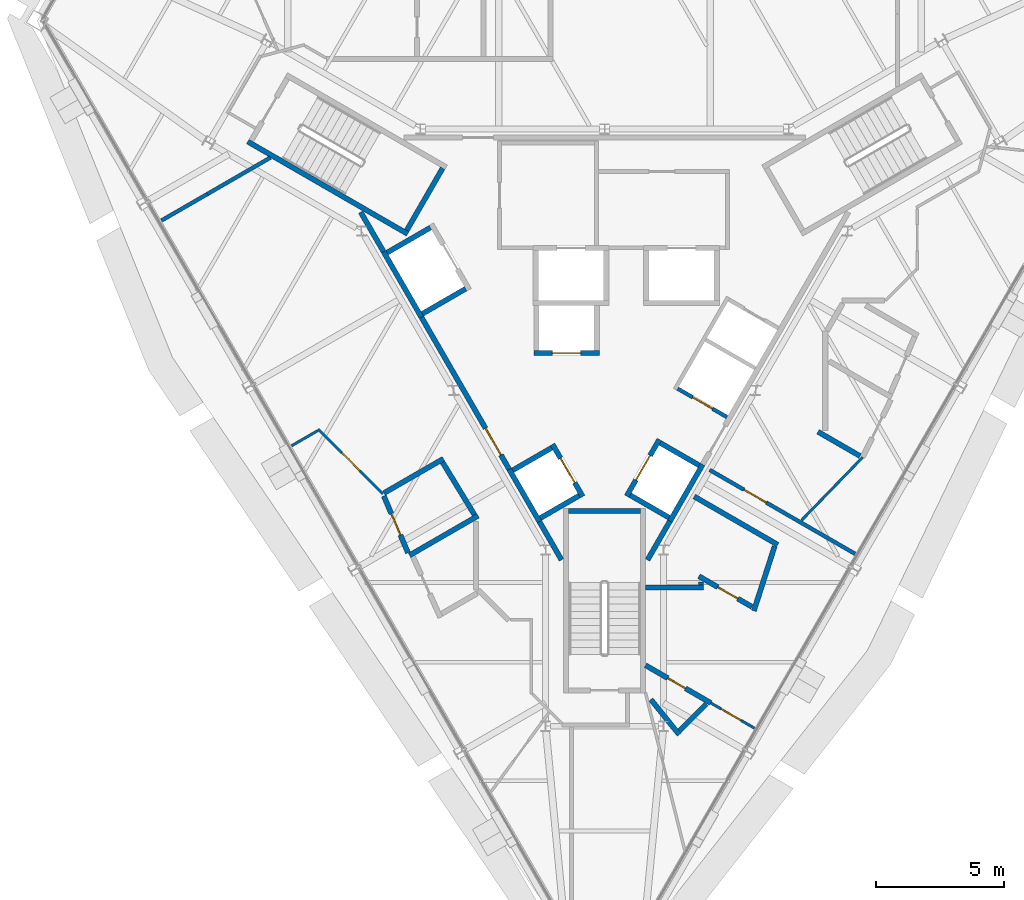
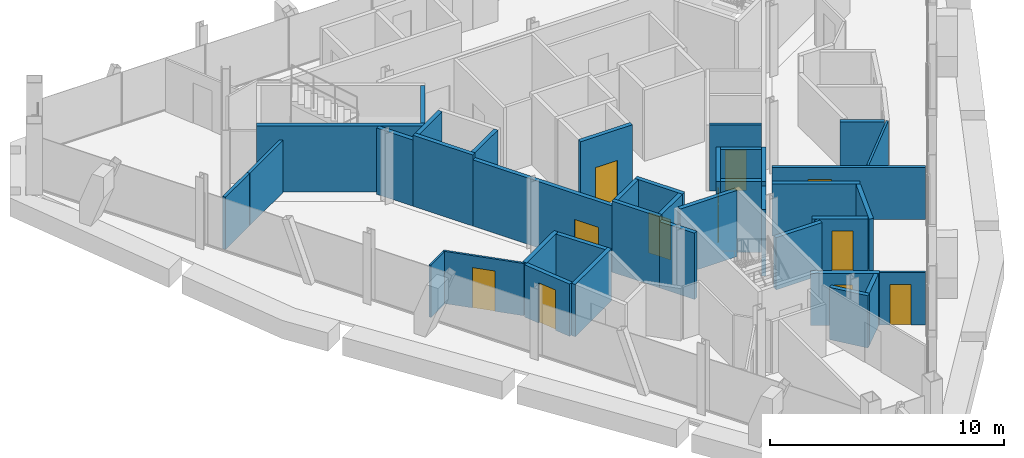
# One storey, part 8 of 12: 40 walls, 11 doors, 11 openings.
"""IFC4 building model written with IfcOpenShell, lengths in metres."""

from ifc_helpers import new_model, si_unit, direction, frame, frame_2d, origin, place, context, subcontext, project, spatial, rectangle, extrude, material, layer, layer_set, type_object, element, fill, save


model = new_model("IFC4")

# Units and contexts
model_context = context("Model", 3, precision=1e-05, world=origin(), true_north=direction((0.0, 1.0)))
body_context = subcontext(model_context, "Body", "Model", "MODEL_VIEW")
ifc_project = project(units=[si_unit("LENGTHUNIT", "METRE"), si_unit("AREAUNIT", "SQUARE_METRE"), si_unit("VOLUMEUNIT", "CUBIC_METRE"), si_unit("PLANEANGLEUNIT", "RADIAN"), si_unit("MASSUNIT", "GRAM", prefix="KILO")], contexts=[model_context])

# Site, building, storey
site_placement = place(None, origin())
site = spatial("IfcSite", under=ifc_project, at=site_placement, CompositionType="ELEMENT")
building_placement = place(site_placement, origin())
building = spatial("IfcBuilding", under=site, at=building_placement, Name="Verrane Prism Tower", CompositionType="ELEMENT")
storey_placement = place(building_placement, frame((0.0, 0.0, 271.39990234375)))
storey = spatial("IfcBuildingStorey", under=building, at=storey_placement, Name="L68", CompositionType="ELEMENT", Elevation=271.39990234375)

# Wall
ifc_material_1 = material(Name="Gypsum board partition", Category="other")
ifc_layer_1 = layer(ifc_material_1, 0.199951171875)
ifc_layer_set_1 = layer_set([ifc_layer_1], Name="CW-200 core boundary wall 2 h")
wall_type_1 = type_object("IfcWallType", Name="CW-200 core boundary wall 2 h", PredefinedType="PARTITIONING", material=ifc_layer_set_1)
wall_1_placement = place(storey_placement, frame((-9.509033203125, 3.550537109375, 0.0), z_axis=(0.0, 0.0, 1.0), x_axis=(0.499999136801, -0.866025902152, 0.0)))
element("IfcWall", 1, at=wall_1_placement, inside=storey, type_object=wall_type_1, Name="Core boundary wall CW3-001", PredefinedType="PARTITIONING", context=body_context, shape_type="SweptSolid", body=[
    extrude(rectangle(XDim=1.7822265625, YDim=0.199951171875, at=frame_2d((0.89111328125, 0.0))), origin(), (0.0, 0.0, 1.0), 3.4501953125),
])

# Wall, opening, door
wall_2_placement = place(storey_placement, frame((-7.14111328125, -0.551025390625, 0.0), z_axis=(0.0, 0.0, 1.0), x_axis=(0.500001302854, -0.86602465158, 0.0)))
wall_2 = element("IfcWall", 2, at=wall_2_placement, inside=storey, type_object=wall_type_1, Name="Core boundary wall CW3-003", PredefinedType="PARTITIONING", context=body_context, shape_type="SweptSolid", body=[
    extrude(rectangle(XDim=6.84619140625, YDim=0.199951171875, at=frame_2d((3.423095703125, 0.0))), origin(), (0.0, 0.0, 1.0), 3.4501953125),
])
opening_1_placement = place(wall_2_placement, frame((5.0, 0.0, 0.0)))
opening_1 = element("IfcOpeningElement", 3, at=opening_1_placement, cuts=wall_2, Name="Opening D66510", PredefinedType="OPENING", context=body_context, shape_type="SweptSolid", body=[
    extrude(rectangle(XDim=1.199951171875, YDim=2.10009765625, at=frame_2d((0.60009765625, 1.050048828125))), frame((0.0, 0.10986328125, 0.0), z_axis=(0.0, -1.0, 0.0), x_axis=(1.0, 0.0, 0.0)), (0.0, 0.0, 1.0), 0.219970703125),
])
ifc_material_2 = material(Name="Timber veneered door leaf", Category="wood")
door_type_1 = type_object("IfcDoorType", Name="DR-1200x2100 FD60 single leaf lift lobby", OperationType="NOTDEFINED", PredefinedType="DOOR", material=ifc_material_2)
door_1_placement = place(opening_1_placement, origin())
door_1 = element("IfcDoor", 4, at=door_1_placement, inside=storey, type_object=door_type_1, Name="Lift lobby door D66510", OperationType="SINGLE_SWING_RIGHT", OverallHeight=2.10009765625, OverallWidth=1.199951171875, PredefinedType="DOOR", context=body_context, shape_type="SweptSolid", body=[
    extrude(rectangle(XDim=1.199951171875, YDim=2.10009765625, at=frame_2d((0.60009765625, 1.050048828125))), frame((0.0, 0.02490234375, 0.0), z_axis=(0.0, -1.0, 0.0), x_axis=(1.0, 0.0, 0.0)), (0.0, 0.0, 1.0), 0.050048828125),
])
fill(opening_1, door_1)

# Walls
wall_3_placement = place(storey_placement, frame((-2.541015625, -8.51904296875, 0.0), z_axis=(0.0, 0.0, 1.0), x_axis=(0.500016142392, -0.86601608377, 0.0)))
element("IfcWall", 5, at=wall_3_placement, inside=storey, type_object=wall_type_1, Name="Core boundary wall CW3-004", PredefinedType="PARTITIONING", context=body_context, shape_type="SweptSolid", body=[
    extrude(rectangle(XDim=1.72705078125, YDim=0.199951171875, at=frame_2d((0.863525390625, 0.0))), origin(), (0.0, 0.0, 1.0), 3.4501953125),
])
wall_4_placement = place(storey_placement, frame((1.677490234375, -10.0146484375, 0.0), z_axis=(0.0, 0.0, 1.0), x_axis=(0.49983532306, 0.866120459187, 0.0)))
element("IfcWall", 6, at=wall_4_placement, inside=storey, type_object=wall_type_1, Name="Core boundary wall CW3-005", PredefinedType="PARTITIONING", context=body_context, shape_type="SweptSolid", body=[
    extrude(rectangle(XDim=1.74755859375, YDim=0.199951171875, at=frame_2d((0.873779296875, 0.0))), origin(), (0.0, 0.0, 1.0), 3.4501953125),
])
ifc_material_3 = material(Name="Concrete C40/50", Category="concrete")
ifc_layer_2 = layer(ifc_material_3, 0.199951171875)
ifc_layer_set_2 = layer_set([ifc_layer_2], Name="CW-200 stair core wall concrete C40/50 3 h")
wall_type_2 = type_object("IfcWallType", Name="CW-200 stair core wall concrete C40/50 3 h", PredefinedType="PARTITIONING", material=ifc_layer_set_2)
wall_5_placement = place(storey_placement, frame((-7.67822265625, 2.700927734375, 0.0), z_axis=(0.0, 0.0, 1.0), x_axis=(-0.866018442252, 0.500012057535, 0.0)))
element("IfcWall", 7, at=wall_5_placement, inside=storey, type_object=wall_type_2, Name="Stair 2 enclosure wall", PredefinedType="PARTITIONING", context=body_context, shape_type="SweptSolid", body=[
    extrude(rectangle(XDim=7.199951171875, YDim=0.199951171875, at=frame_2d((3.60009765625, 0.0))), origin(), (0.0, 0.0, 1.0), 3.4501953125),
])
wall_6_placement = place(storey_placement, frame((-6.314697265625, 5.262451171875, 0.0), z_axis=(0.0, 0.0, 1.0), x_axis=(-0.500049511043, -0.865996816683, 0.0)))
element("IfcWall", 8, at=wall_6_placement, inside=storey, type_object=wall_type_2, Name="Stair 2 enclosure wall", PredefinedType="PARTITIONING", context=body_context, shape_type="SweptSolid", body=[
    extrude(rectangle(XDim=2.800048828125, YDim=0.199951171875, at=frame_2d((1.39990234375, 0.0))), origin(), (0.0, 0.0, 1.0), 3.4501953125),
])
wall_7_placement = place(storey_placement, frame((-1.39990234375, -8.10009765625, 0.0), z_axis=(0.0, 0.0, 1.0), x_axis=(1.0, 0.0, 0.0)))
element("IfcWall", 9, at=wall_7_placement, inside=storey, type_object=wall_type_2, Name="Stair 3 enclosure wall", PredefinedType="PARTITIONING", context=body_context, shape_type="SweptSolid", body=[
    extrude(rectangle(XDim=2.7998046875, YDim=0.199951171875, at=frame_2d((1.39990234375, 0.0))), origin(), (0.0, 0.0, 1.0), 3.4501953125),
])

# Wall, opening, door
ifc_material_4 = material(Name="Gypsum board shaft wall assembly", Category="other")
ifc_layer_3 = layer(ifc_material_4, 0.199951171875)
ifc_layer_set_3 = layer_set([ifc_layer_3], Name="HW-200 lift shaft wall 2 h")
wall_type_3 = type_object("IfcWallType", Name="HW-200 lift shaft wall 2 h", PredefinedType="PARTITIONING", material=ifc_layer_set_3)
wall_8_placement = place(storey_placement, frame((-2.7548828125, -1.949951171875, 0.0), z_axis=(0.0, 0.0, 1.0), x_axis=(1.0, 0.0, 0.0)))
wall_8 = element("IfcWall", 10, at=wall_8_placement, inside=storey, type_object=wall_type_3, Name="Lift shaft wall", PredefinedType="PARTITIONING", context=body_context, shape_type="SweptSolid", body=[
    extrude(rectangle(XDim=2.5498046875, YDim=0.199951171875, at=frame_2d((1.27490234375, 0.0))), origin(), (0.0, 0.0, 1.0), 3.7001953125),
])
opening_2_placement = place(wall_8_placement, frame((0.72509765625, 0.0, 0.0)))
opening_2 = element("IfcOpeningElement", 11, at=opening_2_placement, cuts=wall_8, Name="Opening D66504", PredefinedType="OPENING", context=body_context, shape_type="SweptSolid", body=[
    extrude(rectangle(XDim=1.10009765625, YDim=2.10009765625, at=frame_2d((0.550048828125, 1.050048828125))), frame((0.0, 0.10986328125, 0.0), z_axis=(0.0, -1.0, 0.0), x_axis=(1.0, 0.0, 0.0)), (0.0, 0.0, 1.0), 0.219970703125),
])
ifc_material_5 = material(Name="Stainless steel sliding landing door", Category="steel")
door_type_2 = type_object("IfcDoorType", Name="LD-1100x2100 lift landing door FD90 sliding", OperationType="NOTDEFINED", PredefinedType="DOOR", material=ifc_material_5)
door_2_placement = place(opening_2_placement, origin())
door_2 = element("IfcDoor", 12, at=door_2_placement, inside=storey, type_object=door_type_2, Name="Bank C lift 2 landing door", OperationType="SLIDING_TO_RIGHT", OverallHeight=2.10009765625, OverallWidth=1.10009765625, PredefinedType="DOOR", context=body_context, shape_type="SweptSolid", body=[
    extrude(rectangle(XDim=1.10009765625, YDim=2.10009765625, at=frame_2d((0.550048828125, 1.050048828125))), frame((0.0, 0.02490234375, 0.0), z_axis=(0.0, -1.0, 0.0), x_axis=(1.0, 0.0, 0.0)), (0.0, 0.0, 1.0), 0.050048828125),
])
fill(opening_2, door_2)

# Walls
for number, where, z_axis, x_axis, name in (
    (13, (-2.50537109375, -8.38037109375, 0.0), (0.0, 0.0, 1.0), (0.866002029911, 0.500040482552, 0.0), "Lift shaft wall"),
    (14, (-3.580322265625, -6.5185546875, 0.0), (0.0, 0.0, 1.0), (0.866002029911, 0.500040482552, 0.0), "Lift shaft wall"),
):
    element("IfcWall", number, at=place(storey_placement, frame(where, z_axis=z_axis, x_axis=x_axis)), inside=storey, type_object=wall_type_3, Name=name, PredefinedType="PARTITIONING", context=body_context, shape_type="SweptSolid", body=[
        extrude(rectangle(XDim=1.749755859375, YDim=0.199951171875, at=frame_2d((0.875, 0.0))), origin(), (0.0, 0.0, 1.0), 3.7001953125),
    ])
for number, where, z_axis, x_axis, name in (
    (15, (-7.10546875, -0.4130859375, 0.0), (0.0, 0.0, 1.0), (0.866000020948, 0.500043961785, 0.0), "Lift shaft wall"),
    (16, (-8.48046875, 1.968505859375, 0.0), (0.0, 0.0, 1.0), (0.866000020948, 0.500043961785, 0.0), "Lift shaft wall"),
):
    element("IfcWall", number, at=place(storey_placement, frame(where, z_axis=z_axis, x_axis=x_axis)), inside=storey, type_object=wall_type_3, Name=name, PredefinedType="PARTITIONING", context=body_context, shape_type="SweptSolid", body=[
        extrude(rectangle(XDim=1.949951171875, YDim=0.199951171875, at=frame_2d((0.97509765625, 0.0))), origin(), (0.0, 0.0, 1.0), 3.7001953125),
    ])
wall_9_placement = place(storey_placement, frame((2.552001953125, -8.499755859375, 0.0), z_axis=(0.0, 0.0, 1.0), x_axis=(0.499990435942, 0.866030925526, 0.0)))
element("IfcWall", 17, at=wall_9_placement, inside=storey, type_object=wall_type_3, Name="Lift shaft wall", PredefinedType="PARTITIONING", context=body_context, shape_type="SweptSolid", body=[
    extrude(rectangle(XDim=2.5498046875, YDim=0.199951171875, at=frame_2d((1.27490234375, 0.0))), origin(), (0.0, 0.0, 1.0), 3.7001953125),
])

# Wall, opening, door
wall_10_placement = place(storey_placement, frame((0.86328125, -7.524658203125, 0.0), z_axis=(0.0, 0.0, 1.0), x_axis=(0.499990435942, 0.866030925526, 0.0)))
wall_10 = element("IfcWall", 18, at=wall_10_placement, inside=storey, type_object=wall_type_3, Name="Lift shaft wall", PredefinedType="PARTITIONING", context=body_context, shape_type="SweptSolid", body=[
    extrude(rectangle(XDim=2.5498046875, YDim=0.199951171875, at=frame_2d((1.27490234375, 0.0))), origin(), (0.0, 0.0, 1.0), 3.7001953125),
])
opening_3_placement = place(wall_10_placement, frame((0.72509765625, 0.0, 0.0)))
opening_3 = element("IfcOpeningElement", 19, at=opening_3_placement, cuts=wall_10, Name="Opening D66505", PredefinedType="OPENING", context=body_context, shape_type="SweptSolid", body=[
    extrude(rectangle(XDim=1.10009765625, YDim=2.10009765625, at=frame_2d((0.550048828125, 1.050048828125))), frame((0.0, 0.10986328125, 0.0), z_axis=(0.0, -1.0, 0.0), x_axis=(1.0, 0.0, 0.0)), (0.0, 0.0, 1.0), 0.219970703125),
])
door_3_placement = place(opening_3_placement, origin())
door_3 = element("IfcDoor", 20, at=door_3_placement, inside=storey, type_object=door_type_2, Name="Bank C lift 3 landing door", OperationType="SLIDING_TO_LEFT", OverallHeight=2.10009765625, OverallWidth=1.10009765625, PredefinedType="DOOR", context=body_context, shape_type="SweptSolid", body=[
    extrude(rectangle(XDim=1.10009765625, YDim=2.10009765625, at=frame_2d((0.550048828125, 1.050048828125))), frame((0.0, 0.02490234375, 0.0), z_axis=(0.0, -1.0, 0.0), x_axis=(1.0, 0.0, 0.0)), (0.0, 0.0, 1.0), 0.050048828125),
])
fill(opening_3, door_3)

wall_11_placement = place(storey_placement, frame((-0.853271484375, -7.5419921875, 0.0), z_axis=(0.0, 0.0, 1.0), x_axis=(-0.500016218704, 0.866016039709, 0.0)))
wall_11 = element("IfcWall", 21, at=wall_11_placement, inside=storey, type_object=wall_type_3, Name="Lift shaft wall", PredefinedType="PARTITIONING", context=body_context, shape_type="SweptSolid", body=[
    extrude(rectangle(XDim=2.35009765625, YDim=0.199951171875, at=frame_2d((1.175048828125, 0.0))), origin(), (0.0, 0.0, 1.0), 3.7001953125),
])
opening_4_placement = place(wall_11_placement, frame((0.625, 0.0, 0.0)))
opening_4 = element("IfcOpeningElement", 22, at=opening_4_placement, cuts=wall_11, Name="Opening D66503", PredefinedType="OPENING", context=body_context, shape_type="SweptSolid", body=[
    extrude(rectangle(XDim=1.10009765625, YDim=2.10009765625, at=frame_2d((0.550048828125, 1.050048828125))), frame((0.0, 0.10986328125, 0.0), z_axis=(0.0, -1.0, 0.0), x_axis=(1.0, 0.0, 0.0)), (0.0, 0.0, 1.0), 0.219970703125),
])
door_4_placement = place(opening_4_placement, origin())
door_4 = element("IfcDoor", 23, at=door_4_placement, inside=storey, type_object=door_type_2, Name="Bank C lift 1 landing door", OperationType="SLIDING_TO_LEFT", OverallHeight=2.10009765625, OverallWidth=1.10009765625, PredefinedType="DOOR", context=body_context, shape_type="SweptSolid", body=[
    extrude(rectangle(XDim=1.10009765625, YDim=2.10009765625, at=frame_2d((0.550048828125, 1.050048828125))), frame((0.0, 0.02490234375, 0.0), z_axis=(0.0, -1.0, 0.0), x_axis=(1.0, 0.0, 0.0)), (0.0, 0.0, 1.0), 0.050048828125),
])
fill(opening_4, door_4)

# Walls
wall_12_placement = place(storey_placement, frame((-2.5419921875, -8.51708984375, 0.0), z_axis=(0.0, 0.0, 1.0), x_axis=(-0.500016218704, 0.866016039709, 0.0)))
element("IfcWall", 24, at=wall_12_placement, inside=storey, type_object=wall_type_3, Name="Lift shaft wall", PredefinedType="PARTITIONING", context=body_context, shape_type="SweptSolid", body=[
    extrude(rectangle(XDim=2.35009765625, YDim=0.199951171875, at=frame_2d((1.175048828125, 0.0))), origin(), (0.0, 0.0, 1.0), 3.7001953125),
])
wall_13_placement = place(storey_placement, frame((-7.14208984375, -0.549560546875, 0.0), z_axis=(0.0, 0.0, 1.0), x_axis=(-0.49997559174, 0.866039495442, 0.0)))
element("IfcWall", 25, at=wall_13_placement, inside=storey, type_object=wall_type_3, Name="Lift shaft wall", PredefinedType="PARTITIONING", context=body_context, shape_type="SweptSolid", body=[
    extrude(rectangle(XDim=2.949951171875, YDim=0.199951171875, at=frame_2d((1.47509765625, 0.0))), origin(), (0.0, 0.0, 1.0), 3.7001953125),
])
for number, where, z_axis, x_axis, name in (
    (26, (3.6904296875, -6.327880859375, 0.0), (0.0, 0.0, 1.0), (-0.866036909293, 0.499980071345, 0.0), "Lift shaft wall"),
    (27, (2.515380859375, -8.36328125, 0.0), (0.0, 0.0, 1.0), (-0.866036909293, 0.499980071345, 0.0), "Lift shaft wall"),
):
    element("IfcWall", number, at=place(storey_placement, frame(where, z_axis=z_axis, x_axis=x_axis)), inside=storey, type_object=wall_type_3, Name=name, PredefinedType="PARTITIONING", context=body_context, shape_type="SweptSolid", body=[
        extrude(rectangle(XDim=1.75, YDim=0.199951171875, at=frame_2d((0.875, 0.0))), origin(), (0.0, 0.0, 1.0), 3.7001953125),
    ])
ifc_material_6 = material(Name="Gypsum board partition", Category="other")
ifc_layer_4 = layer(ifc_material_6, 0.10009765625)
ifc_layer_set_4 = layer_set([ifc_layer_4], Name="PW-100 room partition")
wall_type_4 = type_object("IfcWallType", Name="PW-100 room partition", PredefinedType="PARTITIONING", material=ifc_layer_set_4)
wall_14_placement = place(storey_placement, frame((-12.205078125, -5.562255859375, 0.0), z_axis=(0.0, 0.0, 1.0), x_axis=(0.865895054285, 0.500225704022, 0.0)))
element("IfcWall", 28, at=wall_14_placement, inside=storey, type_object=wall_type_4, Name="Room partition 007", PredefinedType="PARTITIONING", context=body_context, shape_type="SweptSolid", body=[
    extrude(rectangle(XDim=1.17578125, YDim=0.10009765625, at=frame_2d((0.587890625, 0.0))), origin(), (0.0, 0.0, 1.0), 2.72314453125),
])

# Wall, opening, door
wall_15_placement = place(storey_placement, frame((-8.64599609375, -7.43310546875, 0.0), z_axis=(0.0, 0.0, 1.0), x_axis=(-0.707106781187, 0.707106781187, 0.0)))
wall_15 = element("IfcWall", 29, at=wall_15_placement, inside=storey, type_object=wall_type_4, Name="Room partition 009", PredefinedType="PARTITIONING", context=body_context, shape_type="SweptSolid", body=[
    extrude(rectangle(XDim=3.570068359375, YDim=0.10009765625, at=frame_2d((1.78515625, 0.0))), origin(), (0.0, 0.0, 1.0), 2.72314453125),
])
opening_5_placement = place(wall_15_placement, frame((1.27001953125, 0.0, 0.0)))
opening_5 = element("IfcOpeningElement", 30, at=opening_5_placement, cuts=wall_15, Name="Opening D66014", PredefinedType="OPENING", context=body_context, shape_type="SweptSolid", body=[
    extrude(rectangle(XDim=1.0, YDim=2.10009765625, at=frame_2d((0.5, 1.050048828125))), frame((0.0, 0.06005859375, 0.0), z_axis=(0.0, -1.0, 0.0), x_axis=(1.0, 0.0, 0.0)), (0.0, 0.0, 1.0), 0.1201171875),
])
ifc_material_7 = material(Name="Timber veneered door leaf", Category="wood")
door_type_3 = type_object("IfcDoorType", Name="DR-1000x2100 single leaf inner", OperationType="NOTDEFINED", PredefinedType="DOOR", material=ifc_material_7)
door_5_placement = place(opening_5_placement, origin())
door_5 = element("IfcDoor", 31, at=door_5_placement, inside=storey, type_object=door_type_3, Name="Entrance Foyer door", OperationType="SINGLE_SWING_LEFT", OverallHeight=2.10009765625, OverallWidth=1.0, PredefinedType="DOOR", context=body_context, shape_type="SweptSolid", body=[
    extrude(rectangle(XDim=1.0, YDim=2.10009765625, at=frame_2d((0.5, 1.050048828125))), frame((0.0, 0.02490234375, 0.0), z_axis=(0.0, -1.0, 0.0), x_axis=(1.0, 0.0, 0.0)), (0.0, 0.0, 1.0), 0.050048828125),
])
fill(opening_5, door_5)

wall_16_placement = place(storey_placement, frame((5.846923828125, -16.574951171875, 0.0), z_axis=(0.0, 0.0, 1.0), x_axis=(-0.866156637233, 0.499772628079, 0.0)))
wall_16 = element("IfcWall", 32, at=wall_16_placement, inside=storey, type_object=wall_type_4, Name="Room partition 041", PredefinedType="PARTITIONING", context=body_context, shape_type="SweptSolid", body=[
    extrude(rectangle(XDim=1.9658203125, YDim=0.10009765625, at=frame_2d((0.98291015625, 0.0))), origin(), (0.0, 0.0, 1.0), 2.72314453125),
])
opening_6_placement = place(wall_16_placement, frame((0.61083984375, 0.0, 0.0)))
opening_6 = element("IfcOpeningElement", 33, at=opening_6_placement, cuts=wall_16, Name="Opening D66001", PredefinedType="OPENING", context=body_context, shape_type="SweptSolid", body=[
    extrude(rectangle(XDim=0.89990234375, YDim=2.10009765625, at=frame_2d((0.449951171875, 1.050048828125))), frame((0.0, 0.06005859375, 0.0), z_axis=(0.0, -1.0, 0.0), x_axis=(1.0, 0.0, 0.0)), (0.0, 0.0, 1.0), 0.1201171875),
])
ifc_material_8 = material(Name="Timber veneered door leaf", Category="wood")
door_type_4 = type_object("IfcDoorType", Name="DR-900x2100 single leaf inner", OperationType="NOTDEFINED", PredefinedType="DOOR", material=ifc_material_8)
door_6_placement = place(opening_6_placement, origin())
door_6 = element("IfcDoor", 34, at=door_6_placement, inside=storey, type_object=door_type_4, Name="Living And Dining Room door", OperationType="SINGLE_SWING_RIGHT", OverallHeight=2.10009765625, OverallWidth=0.89990234375, PredefinedType="DOOR", context=body_context, shape_type="SweptSolid", body=[
    extrude(rectangle(XDim=0.89990234375, YDim=2.10009765625, at=frame_2d((0.449951171875, 1.050048828125))), frame((0.0, 0.02490234375, 0.0), z_axis=(0.0, -1.0, 0.0), x_axis=(1.0, 0.0, 0.0)), (0.0, 0.0, 1.0), 0.050048828125),
])
fill(opening_6, door_6)

# Walls
wall_17_placement = place(storey_placement, frame((7.681640625, -8.470458984375, 0.0), z_axis=(0.0, 0.0, 1.0), x_axis=(0.696344433623, 0.717707760696, 0.0)))
element("IfcWall", 35, at=wall_17_placement, inside=storey, type_object=wall_type_4, Name="Room partition 044", PredefinedType="PARTITIONING", context=body_context, shape_type="SweptSolid", body=[
    extrude(rectangle(XDim=3.4169921875, YDim=0.10009765625, at=frame_2d((1.70849609375, 0.0))), origin(), (0.0, 0.0, 1.0), 2.72314453125),
])
ifc_material_9 = material(Name="Gypsum board partition", Category="other")
ifc_layer_5 = layer(ifc_material_9, 0.14990234375)
ifc_layer_set_5 = layer_set([ifc_layer_5], Name="PW-150 demising wall 1 h")
wall_type_5 = type_object("IfcWallType", Name="PW-150 demising wall 1 h", PredefinedType="PARTITIONING", material=ifc_layer_set_5)
wall_18_placement = place(storey_placement, frame((-17.277587890625, 3.22412109375, 0.0), z_axis=(0.0, 0.0, 1.0), x_axis=(0.8661500768, 0.499783997803, 0.0)))
element("IfcWall", 36, at=wall_18_placement, inside=storey, type_object=wall_type_5, Name="Demising wall 001", PredefinedType="PARTITIONING", context=body_context, shape_type="SweptSolid", body=[
    extrude(rectangle(XDim=2.060546875, YDim=0.14990234375, at=frame_2d((1.0302734375, 0.0))), origin(), (0.0, 0.0, 1.0), 2.72314453125),
])
wall_19_placement = place(storey_placement, frame((-15.489013671875, 4.257080078125, 0.0), z_axis=(0.0, 0.0, 1.0), x_axis=(0.866053804324, 0.499950805595, 0.0)))
element("IfcWall", 37, at=wall_19_placement, inside=storey, type_object=wall_type_5, Name="Demising wall 002", PredefinedType="PARTITIONING", context=body_context, shape_type="SweptSolid", body=[
    extrude(rectangle(XDim=2.838134765625, YDim=0.14990234375, at=frame_2d((1.4189453125, 0.0))), origin(), (0.0, 0.0, 1.0), 2.72314453125),
])

# Wall, opening, door
wall_20_placement = place(storey_placement, frame((9.771728515625, -9.77685546875, 0.0), z_axis=(0.0, 0.0, 1.0), x_axis=(-0.866083818164, 0.499898809675, 0.0)))
wall_20 = element("IfcWall", 38, at=wall_20_placement, inside=storey, type_object=wall_type_5, Name="Demising wall 042", PredefinedType="PARTITIONING", context=body_context, shape_type="SweptSolid", body=[
    extrude(rectangle(XDim=6.551025390625, YDim=0.14990234375, at=frame_2d((3.275390625, 0.0))), origin(), (0.0, 0.0, 1.0), 2.72314453125),
])
opening_7_placement = place(wall_20_placement, frame((4.0009765625, 0.0, 0.0)))
opening_7 = element("IfcOpeningElement", 39, at=opening_7_placement, cuts=wall_20, Name="Opening D66002", PredefinedType="OPENING", context=body_context, shape_type="SweptSolid", body=[
    extrude(rectangle(XDim=1.0, YDim=2.10009765625, at=frame_2d((0.5, 1.050048828125))), frame((0.0, 0.0849609375, 0.0), z_axis=(0.0, -1.0, 0.0), x_axis=(1.0, 0.0, 0.0)), (0.0, 0.0, 1.0), 0.169921875),
])
ifc_material_10 = material(Name="Timber veneered door leaf", Category="wood")
door_type_5 = type_object("IfcDoorType", Name="DR-1000x2100 FD20 single leaf inner", OperationType="NOTDEFINED", PredefinedType="DOOR", material=ifc_material_10)
door_7_placement = place(opening_7_placement, origin())
door_7 = element("IfcDoor", 40, at=door_7_placement, inside=storey, type_object=door_type_5, Name="Entrance Foyer door", OperationType="SINGLE_SWING_LEFT", OverallHeight=2.10009765625, OverallWidth=1.0, PredefinedType="DOOR", context=body_context, shape_type="SweptSolid", body=[
    extrude(rectangle(XDim=1.0, YDim=2.10009765625, at=frame_2d((0.5, 1.050048828125))), frame((0.0, 0.02490234375, 0.0), z_axis=(0.0, -1.0, 0.0), x_axis=(1.0, 0.0, 0.0)), (0.0, 0.0, 1.0), 0.050048828125),
])
fill(opening_7, door_7)

ifc_material_11 = material(Name="Gypsum board partition", Category="other")
ifc_layer_6 = layer(ifc_material_11, 0.199951171875)
ifc_layer_set_6 = layer_set([ifc_layer_6], Name="PW-200 plumbing wall")
wall_type_6 = type_object("IfcWallType", Name="PW-200 plumbing wall", PredefinedType="PARTITIONING", material=ifc_layer_set_6)
wall_21_placement = place(storey_placement, frame((-8.608642578125, -7.5205078125, 0.0), z_axis=(0.0, 0.0, 1.0), x_axis=(0.391998641344, -0.91996579566, 0.0)))
wall_21 = element("IfcWall", 41, at=wall_21_placement, inside=storey, type_object=wall_type_6, Name="Plumbing wall 011", PredefinedType="PARTITIONING", context=body_context, shape_type="SweptSolid", body=[
    extrude(rectangle(XDim=2.40966796875, YDim=0.199951171875, at=frame_2d((1.204833984375, 0.0))), origin(), (0.0, 0.0, 1.0), 2.72314453125),
])
opening_8_placement = place(wall_21_placement, frame((0.7548828125, 0.0, 0.0)))
opening_8 = element("IfcOpeningElement", 42, at=opening_8_placement, cuts=wall_21, Name="Opening D66015", PredefinedType="OPENING", context=body_context, shape_type="SweptSolid", body=[
    extrude(rectangle(XDim=0.89990234375, YDim=2.10009765625, at=frame_2d((0.449951171875, 1.050048828125))), frame((0.0, 0.10986328125, 0.0), z_axis=(0.0, -1.0, 0.0), x_axis=(1.0, 0.0, 0.0)), (0.0, 0.0, 1.0), 0.219970703125),
])
door_8_placement = place(opening_8_placement, origin())
door_8 = element("IfcDoor", 43, at=door_8_placement, inside=storey, type_object=door_type_4, Name="Kitchen door", OperationType="SINGLE_SWING_LEFT", OverallHeight=2.10009765625, OverallWidth=0.89990234375, PredefinedType="DOOR", context=body_context, shape_type="SweptSolid", body=[
    extrude(rectangle(XDim=0.89990234375, YDim=2.10009765625, at=frame_2d((0.449951171875, 1.050048828125))), frame((0.0, 0.02490234375, 0.0), z_axis=(0.0, -1.0, 0.0), x_axis=(1.0, 0.0, 0.0)), (0.0, 0.0, 1.0), 0.050048828125),
])
fill(opening_8, door_8)

# Walls
wall_22_placement = place(storey_placement, frame((-8.602783203125, -7.407958984375, 0.0), z_axis=(0.0, 0.0, 1.0), x_axis=(0.865966883336, 0.500101346695, 0.0)))
element("IfcWall", 44, at=wall_22_placement, inside=storey, type_object=wall_type_6, Name="Plumbing wall 012", PredefinedType="PARTITIONING", context=body_context, shape_type="SweptSolid", body=[
    extrude(rectangle(XDim=2.67724609375, YDim=0.199951171875, at=frame_2d((1.338623046875, 0.0))), origin(), (0.0, 0.0, 1.0), 2.72314453125),
])
wall_23_placement = place(storey_placement, frame((-7.605712890625, -9.8349609375, 0.0), z_axis=(0.0, 0.0, 1.0), x_axis=(0.866093395895, 0.499882215713, 0.0)))
element("IfcWall", 45, at=wall_23_placement, inside=storey, type_object=wall_type_6, Name="Plumbing wall 014", PredefinedType="PARTITIONING", context=body_context, shape_type="SweptSolid", body=[
    extrude(rectangle(XDim=3.086669921875, YDim=0.199951171875, at=frame_2d((1.54345703125, 0.0))), origin(), (0.0, 0.0, 1.0), 2.72314453125),
])
wall_24_placement = place(storey_placement, frame((-6.31640625, -6.208740234375, 0.0), z_axis=(0.0, 0.0, 1.0), x_axis=(0.519665190876, -0.854369995606, 0.0)))
element("IfcWall", 46, at=wall_24_placement, inside=storey, type_object=wall_type_6, Name="Plumbing wall 018", PredefinedType="PARTITIONING", context=body_context, shape_type="SweptSolid", body=[
    extrude(rectangle(XDim=2.391845703125, YDim=0.199951171875, at=frame_2d((1.19580078125, 0.0))), origin(), (0.0, 0.0, 1.0), 2.72314453125),
])
wall_25_placement = place(storey_placement, frame((1.806884765625, -15.45703125, 0.0), z_axis=(0.0, 0.0, 1.0), x_axis=(0.62721044395, -0.778849830841, 0.0)))
element("IfcWall", 47, at=wall_25_placement, inside=storey, type_object=wall_type_6, Name="Plumbing wall 033", PredefinedType="PARTITIONING", context=body_context, shape_type="SweptSolid", body=[
    extrude(rectangle(XDim=1.76123046875, YDim=0.199951171875, at=frame_2d((0.880615234375, 0.0))), origin(), (0.0, 0.0, 1.0), 2.72314453125),
])

# Wall, opening, door
wall_26_placement = place(storey_placement, frame((4.1435546875, -15.593017578125, 0.0), z_axis=(0.0, 0.0, 1.0), x_axis=(-0.865947474014, 0.500134954036, 0.0)))
wall_26 = element("IfcWall", 48, at=wall_26_placement, inside=storey, type_object=wall_type_6, Name="Plumbing wall 035", PredefinedType="PARTITIONING", context=body_context, shape_type="SweptSolid", body=[
    extrude(rectangle(XDim=2.937255859375, YDim=0.199951171875, at=frame_2d((1.46875, 0.0))), origin(), (0.0, 0.0, 1.0), 2.72314453125),
])
opening_9_placement = place(wall_26_placement, frame((1.13720703125, 0.0, 0.0)))
opening_9 = element("IfcOpeningElement", 49, at=opening_9_placement, cuts=wall_26, Name="Opening D66005", PredefinedType="OPENING", context=body_context, shape_type="SweptSolid", body=[
    extrude(rectangle(XDim=0.800048828125, YDim=2.10009765625, at=frame_2d((0.39990234375, 1.050048828125))), frame((0.0, 0.10986328125, 0.0), z_axis=(0.0, -1.0, 0.0), x_axis=(1.0, 0.0, 0.0)), (0.0, 0.0, 1.0), 0.219970703125),
])
ifc_material_12 = material(Name="Timber veneered door leaf", Category="wood")
door_type_6 = type_object("IfcDoorType", Name="DR-800x2100 single leaf inner", OperationType="NOTDEFINED", PredefinedType="DOOR", material=ifc_material_12)
door_9_placement = place(opening_9_placement, origin())
door_9 = element("IfcDoor", 50, at=door_9_placement, inside=storey, type_object=door_type_6, Name="Bathroom door", OperationType="SINGLE_SWING_RIGHT", OverallHeight=2.10009765625, OverallWidth=0.800048828125, PredefinedType="DOOR", context=body_context, shape_type="SweptSolid", body=[
    extrude(rectangle(XDim=0.800048828125, YDim=2.10009765625, at=frame_2d((0.39990234375, 1.050048828125))), frame((0.0, 0.02490234375, 0.0), z_axis=(0.0, -1.0, 0.0), x_axis=(1.0, 0.0, 0.0)), (0.0, 0.0, 1.0), 0.050048828125),
])
fill(opening_9, door_9)

# Walls
wall_27_placement = place(storey_placement, frame((1.60009765625, -11.089111328125, 0.0), z_axis=(0.0, 0.0, 1.0), x_axis=(1.0, 0.0, 0.0)))
element("IfcWall", 51, at=wall_27_placement, inside=storey, type_object=wall_type_6, Name="Plumbing wall 036", PredefinedType="PARTITIONING", context=body_context, shape_type="SweptSolid", body=[
    extrude(rectangle(XDim=2.268798828125, YDim=0.199951171875, at=frame_2d((1.13427734375, 0.0))), origin(), (0.0, 0.0, 1.0), 2.72314453125),
])
wall_28_placement = place(storey_placement, frame((2.9267578125, -16.67333984375, 0.0), z_axis=(0.0, 0.0, 1.0), x_axis=(0.707106781187, 0.707106781187, 0.0)))
element("IfcWall", 52, at=wall_28_placement, inside=storey, type_object=wall_type_6, Name="Plumbing wall 037", PredefinedType="PARTITIONING", context=body_context, shape_type="SweptSolid", body=[
    extrude(rectangle(XDim=1.468505859375, YDim=0.199951171875, at=frame_2d((0.734375, 0.0))), origin(), (0.0, 0.0, 1.0), 2.72314453125),
])
wall_29_placement = place(storey_placement, frame((3.498046875, -7.541015625, 0.0), z_axis=(0.0, 0.0, 1.0), x_axis=(0.865985624761, -0.500068892961, 0.0)))
element("IfcWall", 53, at=wall_29_placement, inside=storey, type_object=wall_type_6, Name="Plumbing wall 038", PredefinedType="PARTITIONING", context=body_context, shape_type="SweptSolid", body=[
    extrude(rectangle(XDim=3.76171875, YDim=0.199951171875, at=frame_2d((1.880859375, 0.0))), origin(), (0.0, 0.0, 1.0), 2.72314453125),
])
wall_30_placement = place(storey_placement, frame((3.76904296875, -10.989013671875, 0.0), z_axis=(0.0, 0.0, 1.0), x_axis=(0.0, 1.0, 0.0)))
element("IfcWall", 54, at=wall_30_placement, inside=storey, type_object=wall_type_6, Name="Plumbing wall 039", PredefinedType="PARTITIONING", context=body_context, shape_type="SweptSolid", body=[
    extrude(rectangle(XDim=0.118896484375, YDim=0.199951171875, at=frame_2d((0.0595703125, 0.0))), origin(), (0.0, 0.0, 1.0), 2.72314453125),
])

# Wall, opening, door
wall_31_placement = place(storey_placement, frame((3.682373046875, -10.64990234375, 0.0), z_axis=(0.0, 0.0, 1.0), x_axis=(0.86607302589, -0.499917507021, 0.0)))
wall_31 = element("IfcWall", 55, at=wall_31_placement, inside=storey, type_object=wall_type_6, Name="Plumbing wall 040", PredefinedType="PARTITIONING", context=body_context, shape_type="SweptSolid", body=[
    extrude(rectangle(XDim=2.3837890625, YDim=0.199951171875, at=frame_2d((1.19189453125, 0.0))), origin(), (0.0, 0.0, 1.0), 2.72314453125),
])
opening_10_placement = place(wall_31_placement, frame((0.85009765625, 0.0, 0.0)))
opening_10 = element("IfcOpeningElement", 56, at=opening_10_placement, cuts=wall_31, Name="Opening D66003", PredefinedType="OPENING", context=body_context, shape_type="SweptSolid", body=[
    extrude(rectangle(XDim=0.89990234375, YDim=2.10009765625, at=frame_2d((0.449951171875, 1.050048828125))), frame((0.0, 0.10986328125, 0.0), z_axis=(0.0, -1.0, 0.0), x_axis=(1.0, 0.0, 0.0)), (0.0, 0.0, 1.0), 0.219970703125),
])
door_10_placement = place(opening_10_placement, origin())
door_10 = element("IfcDoor", 57, at=door_10_placement, inside=storey, type_object=door_type_4, Name="Kitchen door", OperationType="SINGLE_SWING_LEFT", OverallHeight=2.10009765625, OverallWidth=0.89990234375, PredefinedType="DOOR", context=body_context, shape_type="SweptSolid", body=[
    extrude(rectangle(XDim=0.89990234375, YDim=2.10009765625, at=frame_2d((0.449951171875, 1.050048828125))), frame((0.0, 0.02490234375, 0.0), z_axis=(0.0, -1.0, 0.0), x_axis=(1.0, 0.0, 0.0)), (0.0, 0.0, 1.0), 0.050048828125),
])
fill(opening_10, door_10)

# Walls
wall_32_placement = place(storey_placement, frame((5.824462890625, -11.999267578125, 0.0), z_axis=(0.0, 0.0, 1.0), x_axis=(0.306054089199, 0.95201412515, 0.0)))
element("IfcWall", 58, at=wall_32_placement, inside=storey, type_object=wall_type_6, Name="Plumbing wall 043", PredefinedType="PARTITIONING", context=body_context, shape_type="SweptSolid", body=[
    extrude(rectangle(XDim=2.6396484375, YDim=0.199951171875, at=frame_2d((1.31982421875, 0.0))), origin(), (0.0, 0.0, 1.0), 2.72314453125),
])
wall_33_placement = place(storey_placement, frame((8.325439453125, -5.01611328125, 0.0), z_axis=(0.0, 0.0, 1.0), x_axis=(0.866093293964, -0.499882392319, 0.0)))
element("IfcWall", 59, at=wall_33_placement, inside=storey, type_object=wall_type_6, Name="Plumbing wall 045", PredefinedType="PARTITIONING", context=body_context, shape_type="SweptSolid", body=[
    extrude(rectangle(XDim=1.89404296875, YDim=0.199951171875, at=frame_2d((0.947021484375, 0.0))), origin(), (0.0, 0.0, 1.0), 2.72314453125),
])

# Wall, opening, door
ifc_material_13 = material(Name="Gypsum board partition", Category="other")
ifc_layer_7 = layer(ifc_material_13, 0.14990234375)
ifc_layer_set_7 = layer_set([ifc_layer_7], Name="RS-150 riser enclosure wall 1 h")
wall_type_7 = type_object("IfcWallType", Name="RS-150 riser enclosure wall 1 h", PredefinedType="PARTITIONING", material=ifc_layer_set_7)
wall_34_placement = place(storey_placement, frame((2.85107421875, -3.33154296875, 0.0), z_axis=(0.0, 0.0, 1.0), x_axis=(0.866110524189, -0.499852538144, 0.0)))
wall_34 = element("IfcWall", 60, at=wall_34_placement, inside=storey, type_object=wall_type_7, Name="Riser wall RS3-002", PredefinedType="PARTITIONING", context=body_context, shape_type="SweptSolid", body=[
    extrude(rectangle(XDim=2.220458984375, YDim=0.14990234375, at=frame_2d((1.1103515625, 0.0))), origin(), (0.0, 0.0, 1.0), 3.4501953125),
])
opening_11_placement = place(wall_34_placement, frame((0.675048828125, 0.0, 0.0)))
opening_11 = element("IfcOpeningElement", 61, at=opening_11_placement, cuts=wall_34, Name="Opening D66513", PredefinedType="OPENING", context=body_context, shape_type="SweptSolid", body=[
    extrude(rectangle(XDim=0.89990234375, YDim=2.10009765625, at=frame_2d((0.449951171875, 1.050048828125))), frame((0.0, 0.0849609375, 0.0), z_axis=(0.0, -1.0, 0.0), x_axis=(1.0, 0.0, 0.0)), (0.0, 0.0, 1.0), 0.169921875),
])
ifc_material_14 = material(Name="Timber veneered door leaf", Category="wood")
door_type_7 = type_object("IfcDoorType", Name="DR-900x2100 FD60 single leaf riser", OperationType="NOTDEFINED", PredefinedType="DOOR", material=ifc_material_14)
door_11_placement = place(opening_11_placement, origin())
door_11 = element("IfcDoor", 62, at=door_11_placement, inside=storey, type_object=door_type_7, Name="Riser door D66513", OperationType="SINGLE_SWING_RIGHT", OverallHeight=2.10009765625, OverallWidth=0.89990234375, PredefinedType="DOOR", context=body_context, shape_type="SweptSolid", body=[
    extrude(rectangle(XDim=0.89990234375, YDim=2.10009765625, at=frame_2d((0.449951171875, 1.050048828125))), frame((0.0, 0.02490234375, 0.0), z_axis=(0.0, -1.0, 0.0), x_axis=(1.0, 0.0, 0.0)), (0.0, 0.0, 1.0), 0.050048828125),
])
fill(opening_11, door_11)

save(model, "model.ifc")
